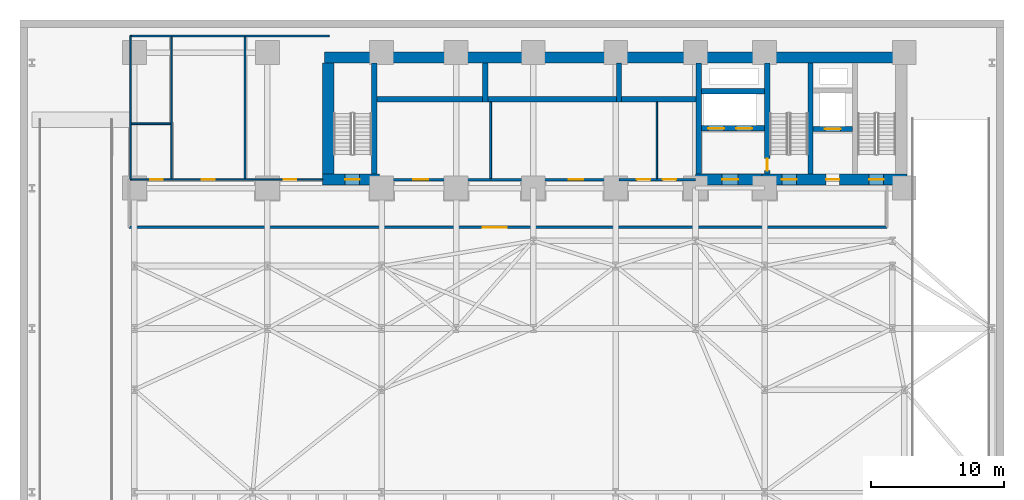
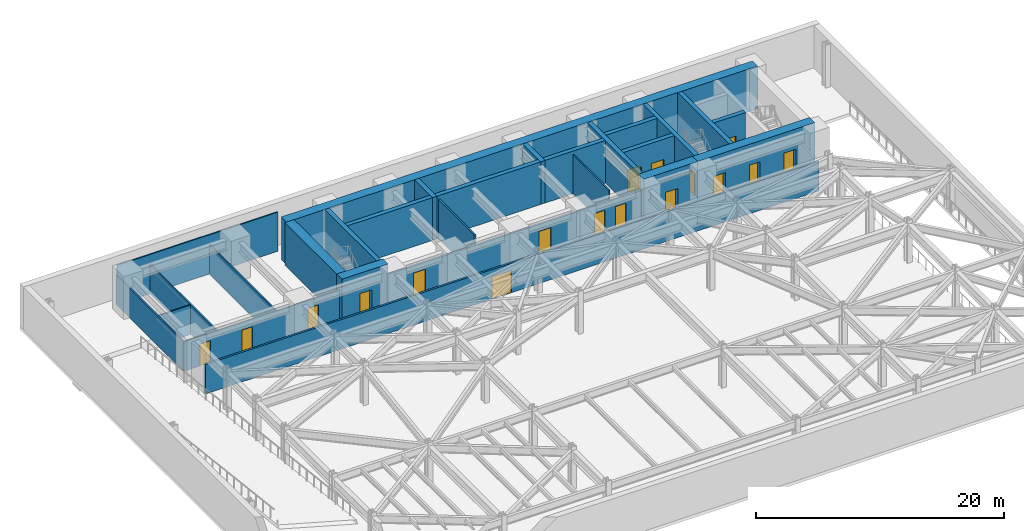
# One storey, part 4 of 11: 28 walls, 17 doors, 17 openings.
"""IFC4 building model written with IfcOpenShell, lengths in metres."""

from ifc_helpers import new_model, si_unit, direction, frame, frame_2d, origin, place, context, subcontext, project, spatial, rectangle, extrude, material, layer, layer_set, type_object, element, fill, save


model = new_model("IFC4")

# Units and contexts
model_context = context("Model", 3, precision=1e-05, world=origin(), true_north=direction((0.0, 1.0)))
body_context = subcontext(model_context, "Body", "Model", "MODEL_VIEW")
ifc_project = project(units=[si_unit("LENGTHUNIT", "METRE"), si_unit("AREAUNIT", "SQUARE_METRE"), si_unit("VOLUMEUNIT", "CUBIC_METRE"), si_unit("PLANEANGLEUNIT", "RADIAN"), si_unit("MASSUNIT", "GRAM", prefix="KILO")], contexts=[model_context])

# Site, building, storey
site_placement = place(None, origin())
site = spatial("IfcSite", under=ifc_project, at=site_placement, CompositionType="ELEMENT")
building_placement = place(site_placement, origin())
building = spatial("IfcBuilding", under=site, at=building_placement, Name="Kravanh Interchange Tower", CompositionType="ELEMENT")
storey_placement = place(building_placement, frame((0.0, 0.0, -4.199951171875)))
storey = spatial("IfcBuildingStorey", under=building, at=storey_placement, Name="B1", CompositionType="ELEMENT", Elevation=-4.199951171875)

# Wall
ifc_material_1 = material(Name="Double Acoustic Gypsum Board and Mineral Wool")
ifc_layer_1 = layer(ifc_material_1, 0.1201171875)
ifc_layer_set_1 = layer_set([ifc_layer_1], Name="Acoustic Office Drywall Partition 120mm")
wall_type_1 = type_object("IfcWallType", Name="Acoustic Office Drywall Partition 120mm", PredefinedType="PARTITIONING", material=ifc_layer_set_1)
wall_1_placement = place(storey_placement, frame((47.89990234375, 38.068115234375, 0.0), z_axis=(0.0, 0.0, 1.0), x_axis=(0.0, 1.0, 0.0)))
element("IfcWall", 1, at=wall_1_placement, inside=storey, type_object=wall_type_1, Name="B1 Interior Partition 2", PredefinedType="PARTITIONING", context=body_context, shape_type="SweptSolid", body=[
    extrude(rectangle(XDim=5.77392578125, YDim=0.1201171875, at=frame_2d((2.886962890625, 0.0))), origin(), (0.0, 0.0, 1.0), 3.849853515625),
])

# Wall, openings, doors
wall_2_placement = place(storey_placement, frame((8.300048828125, 38.0, 0.0), z_axis=(0.0, 0.0, 1.0), x_axis=(1.0, 0.0, 0.0)))
wall_2 = element("IfcWall", 2, at=wall_2_placement, inside=storey, type_object=wall_type_1, Name="B1 Restroom Corridor Wall 8", PredefinedType="PARTITIONING", context=body_context, shape_type="SweptSolid", body=[
    extrude(rectangle(XDim=14.449951171875, YDim=0.1201171875, at=frame_2d((7.22509765625, 0.0))), origin(), (0.0, 0.0, 1.0), 2.90185546875),
])
opening_1_placement = place(wall_2_placement, frame((1.481689453125, 0.0, 0.0)))
opening_1 = element("IfcOpeningElement", 3, at=opening_1_placement, cuts=wall_2, Name="Opening D-95", PredefinedType="OPENING", context=body_context, shape_type="SweptSolid", body=[
    extrude(rectangle(XDim=0.949951171875, YDim=2.14990234375, at=frame_2d((0.47509765625, 1.074951171875))), frame((0.0, 0.070068359375, 0.0), z_axis=(0.0, -1.0, 0.0), x_axis=(1.0, 0.0, 0.0)), (0.0, 0.0, 1.0), 0.14013671875),
])
opening_2_placement = place(wall_2_placement, frame((5.385009765625, 0.0, 0.0)))
opening_2 = element("IfcOpeningElement", 4, at=opening_2_placement, cuts=wall_2, Name="Opening D-95", PredefinedType="OPENING", context=body_context, shape_type="SweptSolid", body=[
    extrude(rectangle(XDim=0.949951171875, YDim=2.14990234375, at=frame_2d((0.47509765625, 1.074951171875))), frame((0.0, 0.070068359375, 0.0), z_axis=(0.0, -1.0, 0.0), x_axis=(1.0, 0.0, 0.0)), (0.0, 0.0, 1.0), 0.14013671875),
])
opening_3_placement = place(wall_2_placement, frame((11.52001953125, 0.0, 0.0)))
opening_3 = element("IfcOpeningElement", 5, at=opening_3_placement, cuts=wall_2, Name="Opening D-95", PredefinedType="OPENING", context=body_context, shape_type="SweptSolid", body=[
    extrude(rectangle(XDim=0.949951171875, YDim=2.14990234375, at=frame_2d((0.47509765625, 1.074951171875))), frame((0.0, 0.070068359375, 0.0), z_axis=(0.0, -1.0, 0.0), x_axis=(1.0, 0.0, 0.0)), (0.0, 0.0, 1.0), 0.14013671875),
])
ifc_material_2 = material(Name="Laminate Solid-Core Timber", Category="wood")
door_type_1 = type_object("IfcDoorType", Name="Accessible Restroom Door 950x2150", OperationType="NOTDEFINED", PredefinedType="DOOR", material=ifc_material_2)
door_1_placement = place(opening_1_placement, origin())
door_1 = element("IfcDoor", 6, at=door_1_placement, inside=storey, type_object=door_type_1, Name="B1 Accessible WC Door", OperationType="SINGLE_SWING_LEFT", OverallHeight=2.14990234375, OverallWidth=0.949951171875, PredefinedType="DOOR", context=body_context, shape_type="SweptSolid", body=[
    extrude(rectangle(XDim=0.949951171875, YDim=2.14990234375, at=frame_2d((0.47509765625, 1.074951171875))), frame((0.0, 0.02490234375, 0.0), z_axis=(0.0, -1.0, 0.0), x_axis=(1.0, 0.0, 0.0)), (0.0, 0.0, 1.0), 0.050048828125),
])
fill(opening_1, door_1)
door_2_placement = place(opening_2_placement, origin())
door_2 = element("IfcDoor", 7, at=door_2_placement, inside=storey, type_object=door_type_1, Name="B1 Female WC Door", OperationType="SINGLE_SWING_RIGHT", OverallHeight=2.14990234375, OverallWidth=0.949951171875, PredefinedType="DOOR", context=body_context, shape_type="SweptSolid", body=[
    extrude(rectangle(XDim=0.949951171875, YDim=2.14990234375, at=frame_2d((0.47509765625, 1.074951171875))), frame((0.0, 0.02490234375, 0.0), z_axis=(0.0, -1.0, 0.0), x_axis=(1.0, 0.0, 0.0)), (0.0, 0.0, 1.0), 0.050048828125),
])
fill(opening_2, door_2)
door_3_placement = place(opening_3_placement, origin())
door_3 = element("IfcDoor", 8, at=door_3_placement, inside=storey, type_object=door_type_1, Name="B1 Male WC Door", OperationType="SINGLE_SWING_LEFT", OverallHeight=2.14990234375, OverallWidth=0.949951171875, PredefinedType="DOOR", context=body_context, shape_type="SweptSolid", body=[
    extrude(rectangle(XDim=0.949951171875, YDim=2.14990234375, at=frame_2d((0.47509765625, 1.074951171875))), frame((0.0, 0.02490234375, 0.0), z_axis=(0.0, -1.0, 0.0), x_axis=(1.0, 0.0, 0.0)), (0.0, 0.0, 1.0), 0.050048828125),
])
fill(opening_3, door_3)

# Walls
wall_3_placement = place(storey_placement, frame((8.300048828125, 38.0, 0.0), z_axis=(0.0, 0.0, 1.0), x_axis=(0.0, 1.0, 0.0)))
element("IfcWall", 9, at=wall_3_placement, inside=storey, type_object=wall_type_1, Name="B1 Restroom West Enclosure 9", PredefinedType="PARTITIONING", context=body_context, shape_type="SweptSolid", body=[
    extrude(rectangle(XDim=10.800048828125, YDim=0.1201171875, at=frame_2d((5.39990234375, 0.0))), origin(), (0.0, 0.0, 1.0), 2.90185546875),
])
wall_4_placement = place(storey_placement, frame((8.300048828125, 48.800048828125, 0.0), z_axis=(0.0, 0.0, 1.0), x_axis=(1.0, 0.0, 0.0)))
element("IfcWall", 10, at=wall_4_placement, inside=storey, type_object=wall_type_1, Name="B1 Restroom North Enclosure 10", PredefinedType="PARTITIONING", context=body_context, shape_type="SweptSolid", body=[
    extrude(rectangle(XDim=14.949951171875, YDim=0.1201171875, at=frame_2d((7.47509765625, 0.0))), origin(), (0.0, 0.0, 1.0), 3.849853515625),
])
for number, where, z_axis, x_axis, name in (
    (11, (11.39990234375, 38.068115234375, 0.0), (0.0, 0.0, 1.0), (0.0, 1.0, 0.0), "B1 Interior Partition 11"),
    (12, (16.919921875, 38.068115234375, 0.0), (0.0, 0.0, 1.0), (0.0, 1.0, 0.0), "B1 Interior Partition 12"),
):
    element("IfcWall", number, at=place(storey_placement, frame(where, z_axis=z_axis, x_axis=x_axis)), inside=storey, type_object=wall_type_1, Name=name, PredefinedType="PARTITIONING", context=body_context, shape_type="SweptSolid", body=[
        extrude(rectangle(XDim=10.663818359375, YDim=0.1201171875, at=frame_2d((5.33203125, 0.0))), origin(), (0.0, 0.0, 1.0), 2.90185546875),
    ])
wall_5_placement = place(storey_placement, frame((8.367919921875, 42.199951171875, 0.0), z_axis=(0.0, 0.0, 1.0), x_axis=(1.0, 0.0, 0.0)))
element("IfcWall", 13, at=wall_5_placement, inside=storey, type_object=wall_type_1, Name="B1 Interior Partition 13", PredefinedType="PARTITIONING", context=body_context, shape_type="SweptSolid", body=[
    extrude(rectangle(XDim=2.964111328125, YDim=0.1201171875, at=frame_2d((1.48193359375, 0.0))), origin(), (0.0, 0.0, 1.0), 2.90185546875),
])
ifc_material_3 = material(Name="Concrete C80/95", Category="concrete")
ifc_layer_2 = layer(ifc_material_3, 0.39990234375)
ifc_layer_set_2 = layer_set([ifc_layer_2], Name="Core Shear Wall Concrete C80/95 400mm")
wall_type_2 = type_object("IfcWallType", Name="Core Shear Wall Concrete C80/95 400mm", PredefinedType="SHEAR", material=ifc_layer_set_2)
wall_6_placement = place(storey_placement, frame((59.449951171875, 38.425048828125, 0.0), z_axis=(0.0, 0.0, 1.0), x_axis=(0.0, 1.0, 0.0)))
element("IfcWall", 14, at=wall_6_placement, inside=storey, type_object=wall_type_2, Name="B1 Stair ST2 East Shear Wall", PredefinedType="SHEAR", context=body_context, shape_type="SweptSolid", body=[
    extrude(rectangle(XDim=8.324951171875, YDim=0.39990234375, at=frame_2d((4.16259765625, 0.0))), origin(), (0.0, 0.0, 1.0), 4.199951171875),
])

# Wall, opening, door
wall_7_placement = place(storey_placement, frame((56.199951171875, 38.425048828125, 0.0), z_axis=(0.0, 0.0, 1.0), x_axis=(0.0, 1.0, 0.0)))
wall_7 = element("IfcWall", 15, at=wall_7_placement, inside=storey, type_object=wall_type_2, Name="B1 Stair ST2 West Shear Wall", PredefinedType="SHEAR", context=body_context, shape_type="SweptSolid", body=[
    extrude(rectangle(XDim=8.324951171875, YDim=0.39990234375, at=frame_2d((4.16259765625, 0.0))), origin(), (0.0, 0.0, 1.0), 4.199951171875),
])
opening_4_placement = place(wall_7_placement, frame((0.2548828125, 0.0, 0.0)))
opening_4 = element("IfcOpeningElement", 16, at=opening_4_placement, cuts=wall_7, Name="Opening D-STAIR-90", PredefinedType="OPENING", context=body_context, shape_type="SweptSolid", body=[
    extrude(rectangle(XDim=0.89990234375, YDim=2.14990234375, at=frame_2d((0.449951171875, 1.074951171875))), frame((0.0, 0.2099609375, 0.0), z_axis=(0.0, -1.0, 0.0), x_axis=(1.0, 0.0, 0.0)), (0.0, 0.0, 1.0), 0.419921875),
])
ifc_material_4 = material(Name="Structural Steel S355", Category="steel")
door_type_2 = type_object("IfcDoorType", Name="Fire-Rated Stair Lobby Door 900x2150", OperationType="NOTDEFINED", PredefinedType="DOOR", material=ifc_material_4)
door_4_placement = place(opening_4_placement, origin())
door_4 = element("IfcDoor", 17, at=door_4_placement, inside=storey, type_object=door_type_2, Name="B1 Firefighting Lobby to Stair ST2 Door", OperationType="SINGLE_SWING_LEFT", OverallHeight=2.14990234375, OverallWidth=0.89990234375, PredefinedType="DOOR", context=body_context, shape_type="SweptSolid", body=[
    extrude(rectangle(XDim=0.89990234375, YDim=2.14990234375, at=frame_2d((0.449951171875, 1.074951171875))), frame((0.0, 0.02490234375, 0.0), z_axis=(0.0, -1.0, 0.0), x_axis=(1.0, 0.0, 0.0)), (0.0, 0.0, 1.0), 0.050048828125),
])
fill(opening_4, door_4)

wall_8_placement = place(storey_placement, frame((59.64990234375, 41.800048828125, 0.0), z_axis=(0.0, 0.0, 1.0), x_axis=(1.0, 0.0, 0.0)))
wall_8 = element("IfcWall", 18, at=wall_8_placement, inside=storey, type_object=wall_type_2, Name="B1 Service Lift Shaft South Wall", PredefinedType="SHEAR", context=body_context, shape_type="SweptSolid", body=[
    extrude(rectangle(XDim=2.9501953125, YDim=0.39990234375, at=frame_2d((1.47509765625, 0.0))), origin(), (0.0, 0.0, 1.0), 4.199951171875),
])
opening_5_placement = place(wall_8_placement, frame((0.8701171875, 0.0, 0.0)))
opening_5 = element("IfcOpeningElement", 19, at=opening_5_placement, cuts=wall_8, Name="Opening LD02", PredefinedType="OPENING", context=body_context, shape_type="SweptSolid", body=[
    extrude(rectangle(XDim=1.199951171875, YDim=2.199951171875, at=frame_2d((0.60009765625, 1.10009765625))), frame((0.0, 0.2099609375, 0.0), z_axis=(0.0, -1.0, 0.0), x_axis=(1.0, 0.0, 0.0)), (0.0, 0.0, 1.0), 0.419921875),
])
ifc_material_5 = material(Name="Stainless Steel 316", Category="steel")
door_type_3 = type_object("IfcDoorType", Name="Fire and Service Lift Sliding Landing Door 1200x2200", OperationType="DOUBLE_DOOR_SLIDING", PredefinedType="DOOR", material=ifc_material_5)
door_5_placement = place(opening_5_placement, origin())
door_5 = element("IfcDoor", 20, at=door_5_placement, inside=storey, type_object=door_type_3, Name="B1 Lift LS-01 Landing Door", OperationType="DOUBLE_DOOR_SLIDING", OverallHeight=2.199951171875, OverallWidth=1.199951171875, PredefinedType="DOOR", context=body_context, shape_type="SweptSolid", body=[
    extrude(rectangle(XDim=1.199951171875, YDim=2.199951171875, at=frame_2d((0.60009765625, 1.10009765625))), frame((0.0, 0.02490234375, 0.0), z_axis=(0.0, -1.0, 0.0), x_axis=(1.0, 0.0, 0.0)), (0.0, 0.0, 1.0), 0.050048828125),
])
fill(opening_5, door_5)

# Wall, openings, doors
wall_9_placement = place(storey_placement, frame((51.25, 41.85009765625, 0.0), z_axis=(0.0, 0.0, 1.0), x_axis=(1.0, 0.0, 0.0)))
wall_9 = element("IfcWall", 21, at=wall_9_placement, inside=storey, type_object=wall_type_2, Name="B1 Fire Lift Shaft South Wall", PredefinedType="SHEAR", context=body_context, shape_type="SweptSolid", body=[
    extrude(rectangle(XDim=4.75, YDim=0.39990234375, at=frame_2d((2.375, 0.0))), origin(), (0.0, 0.0, 1.0), 4.199951171875),
])
opening_6_placement = place(wall_9_placement, frame((0.5, 0.0, 0.0)))
opening_6 = element("IfcOpeningElement", 22, at=opening_6_placement, cuts=wall_9, Name="Opening LD02", PredefinedType="OPENING", context=body_context, shape_type="SweptSolid", body=[
    extrude(rectangle(XDim=1.199951171875, YDim=2.199951171875, at=frame_2d((0.60009765625, 1.10009765625))), frame((0.0, 0.2099609375, 0.0), z_axis=(0.0, -1.0, 0.0), x_axis=(1.0, 0.0, 0.0)), (0.0, 0.0, 1.0), 0.419921875),
])
opening_7_placement = place(wall_9_placement, frame((2.60009765625, 0.0, 0.0)))
opening_7 = element("IfcOpeningElement", 23, at=opening_7_placement, cuts=wall_9, Name="Opening LD02", PredefinedType="OPENING", context=body_context, shape_type="SweptSolid", body=[
    extrude(rectangle(XDim=1.199951171875, YDim=2.199951171875, at=frame_2d((0.60009765625, 1.10009765625))), frame((0.0, 0.2099609375, 0.0), z_axis=(0.0, -1.0, 0.0), x_axis=(1.0, 0.0, 0.0)), (0.0, 0.0, 1.0), 0.419921875),
])
door_6_placement = place(opening_6_placement, origin())
door_6 = element("IfcDoor", 24, at=door_6_placement, inside=storey, type_object=door_type_3, Name="B1 Lift FSAE-01 Landing Door", OperationType="DOUBLE_DOOR_SLIDING", OverallHeight=2.199951171875, OverallWidth=1.199951171875, PredefinedType="DOOR", context=body_context, shape_type="SweptSolid", body=[
    extrude(rectangle(XDim=1.199951171875, YDim=2.199951171875, at=frame_2d((0.60009765625, 1.10009765625))), frame((0.0, 0.02490234375, 0.0), z_axis=(0.0, -1.0, 0.0), x_axis=(1.0, 0.0, 0.0)), (0.0, 0.0, 1.0), 0.050048828125),
])
fill(opening_6, door_6)
door_7_placement = place(opening_7_placement, origin())
door_7 = element("IfcDoor", 25, at=door_7_placement, inside=storey, type_object=door_type_3, Name="B1 Lift FSAE-02 Landing Door", OperationType="DOUBLE_DOOR_SLIDING", OverallHeight=2.199951171875, OverallWidth=1.199951171875, PredefinedType="DOOR", context=body_context, shape_type="SweptSolid", body=[
    extrude(rectangle(XDim=1.199951171875, YDim=2.199951171875, at=frame_2d((0.60009765625, 1.10009765625))), frame((0.0, 0.02490234375, 0.0), z_axis=(0.0, -1.0, 0.0), x_axis=(1.0, 0.0, 0.0)), (0.0, 0.0, 1.0), 0.050048828125),
])
fill(opening_7, door_7)

# Walls
wall_10_placement = place(storey_placement, frame((51.25, 44.64990234375, 0.0), z_axis=(0.0, 0.0, 1.0), x_axis=(1.0, 0.0, 0.0)))
element("IfcWall", 26, at=wall_10_placement, inside=storey, type_object=wall_type_2, Name="B1 Fire Lift Shaft North Wall", PredefinedType="SHEAR", context=body_context, shape_type="SweptSolid", body=[
    extrude(rectangle(XDim=4.75, YDim=0.39990234375, at=frame_2d((2.375, 0.0))), origin(), (0.0, 0.0, 1.0), 4.199951171875),
])
wall_11_placement = place(storey_placement, frame((51.050048828125, 38.425048828125, 0.0), z_axis=(0.0, 0.0, 1.0), x_axis=(0.0, 1.0, 0.0)))
element("IfcWall", 27, at=wall_11_placement, inside=storey, type_object=wall_type_2, Name="B1 Firefighting Lobby West Wall", PredefinedType="SHEAR", context=body_context, shape_type="SweptSolid", body=[
    extrude(rectangle(XDim=8.324951171875, YDim=0.39990234375, at=frame_2d((4.16259765625, 0.0))), origin(), (0.0, 0.0, 1.0), 4.199951171875),
])
wall_12_placement = place(storey_placement, frame((45.25, 44.050048828125, 0.0), z_axis=(0.0, 0.0, 1.0), x_axis=(1.0, 0.0, 0.0)))
element("IfcWall", 28, at=wall_12_placement, inside=storey, type_object=wall_type_2, Name="B1 High-Rise Lift Shaft South Wall", PredefinedType="SHEAR", context=body_context, shape_type="SweptSolid", body=[
    extrude(rectangle(XDim=5.60009765625, YDim=0.39990234375, at=frame_2d((2.800048828125, 0.0))), origin(), (0.0, 0.0, 1.0), 4.199951171875),
])
wall_13_placement = place(storey_placement, frame((45.050048828125, 43.85009765625, 0.0), z_axis=(0.0, 0.0, 1.0), x_axis=(0.0, 1.0, 0.0)))
element("IfcWall", 29, at=wall_13_placement, inside=storey, type_object=wall_type_2, Name="B1 High-Rise Lift Shaft West Wall", PredefinedType="SHEAR", context=body_context, shape_type="SweptSolid", body=[
    extrude(rectangle(XDim=2.89990234375, YDim=0.39990234375, at=frame_2d((1.449951171875, 0.0))), origin(), (0.0, 0.0, 1.0), 4.199951171875),
])
wall_14_placement = place(storey_placement, frame((35.199951171875, 44.050048828125, 0.0), z_axis=(0.0, 0.0, 1.0), x_axis=(1.0, 0.0, 0.0)))
element("IfcWall", 30, at=wall_14_placement, inside=storey, type_object=wall_type_2, Name="B1 Mid-Rise Lift Shaft South Wall", PredefinedType="SHEAR", context=body_context, shape_type="SweptSolid", body=[
    extrude(rectangle(XDim=9.650146484375, YDim=0.39990234375, at=frame_2d((4.8251953125, 0.0))), origin(), (0.0, 0.0, 1.0), 4.199951171875),
])
wall_15_placement = place(storey_placement, frame((35.0, 43.85009765625, 0.0), z_axis=(0.0, 0.0, 1.0), x_axis=(0.0, 1.0, 0.0)))
element("IfcWall", 31, at=wall_15_placement, inside=storey, type_object=wall_type_2, Name="B1 Mid-Rise Lift Shaft West Wall", PredefinedType="SHEAR", context=body_context, shape_type="SweptSolid", body=[
    extrude(rectangle(XDim=2.89990234375, YDim=0.39990234375, at=frame_2d((1.449951171875, 0.0))), origin(), (0.0, 0.0, 1.0), 4.199951171875),
])
wall_16_placement = place(storey_placement, frame((26.85009765625, 44.050048828125, 0.0), z_axis=(0.0, 0.0, 1.0), x_axis=(1.0, 0.0, 0.0)))
element("IfcWall", 32, at=wall_16_placement, inside=storey, type_object=wall_type_2, Name="B1 Low-Rise Lift Shaft South Wall", PredefinedType="SHEAR", context=body_context, shape_type="SweptSolid", body=[
    extrude(rectangle(XDim=7.949951171875, YDim=0.39990234375, at=frame_2d((3.97509765625, 0.0))), origin(), (0.0, 0.0, 1.0), 4.199951171875),
])
wall_17_placement = place(storey_placement, frame((26.64990234375, 38.425048828125, 0.0), z_axis=(0.0, 0.0, 1.0), x_axis=(0.0, 1.0, 0.0)))
element("IfcWall", 33, at=wall_17_placement, inside=storey, type_object=wall_type_2, Name="B1 Stair ST3 East Shear Wall", PredefinedType="SHEAR", context=body_context, shape_type="SweptSolid", body=[
    extrude(rectangle(XDim=8.324951171875, YDim=0.39990234375, at=frame_2d((4.16259765625, 0.0))), origin(), (0.0, 0.0, 1.0), 4.199951171875),
])
ifc_material_6 = material(Name="Concrete C80/95", Category="concrete")
ifc_layer_3 = layer(ifc_material_6, 0.85009765625)
ifc_layer_set_3 = layer_set([ifc_layer_3], Name="Core Shear Wall Concrete C80/95 850mm")
wall_type_3 = type_object("IfcWallType", Name="Core Shear Wall Concrete C80/95 850mm", PredefinedType="SHEAR", material=ifc_layer_set_3)
wall_18_placement = place(storey_placement, frame((22.89990234375, 47.175048828125, 0.0), z_axis=(0.0, 0.0, 1.0), x_axis=(1.0, 0.0, 0.0)))
element("IfcWall", 34, at=wall_18_placement, inside=storey, type_object=wall_type_3, Name="B1 North Core Shear Wall", PredefinedType="SHEAR", context=body_context, shape_type="SweptSolid", body=[
    extrude(rectangle(XDim=43.800048828125, YDim=0.85009765625, at=frame_2d((21.89990234375, 0.0))), origin(), (0.0, 0.0, 1.0), 4.199951171875),
])

# Wall, openings, doors
wall_19_placement = place(storey_placement, frame((55.800048828125, 38.0, 0.0), z_axis=(0.0, 0.0, 1.0), x_axis=(1.0, 0.0, 0.0)))
wall_19 = element("IfcWall", 35, at=wall_19_placement, inside=storey, type_object=wall_type_3, Name="B1 East Core South Shear Wall", PredefinedType="SHEAR", context=body_context, shape_type="SweptSolid", body=[
    extrude(rectangle(XDim=10.89990234375, YDim=0.85009765625, at=frame_2d((5.449951171875, 0.0))), origin(), (0.0, 0.0, 1.0), 4.199951171875),
])
opening_8_placement = place(wall_19_placement, frame((1.5, 0.0, 0.0)))
opening_8 = element("IfcOpeningElement", 36, at=opening_8_placement, cuts=wall_19, Name="Opening D-STAIR-110", PredefinedType="OPENING", context=body_context, shape_type="SweptSolid", body=[
    extrude(rectangle(XDim=1.10009765625, YDim=2.199951171875, at=frame_2d((0.550048828125, 1.10009765625))), frame((0.0, 0.43505859375, 0.0), z_axis=(0.0, -1.0, 0.0), x_axis=(1.0, 0.0, 0.0)), (0.0, 0.0, 1.0), 0.8701171875),
])
opening_9_placement = place(wall_19_placement, frame((4.820068359375, 0.0, 0.0)))
opening_9 = element("IfcOpeningElement", 37, at=opening_9_placement, cuts=wall_19, Name="Opening D-HOTEL-100", PredefinedType="OPENING", context=body_context, shape_type="SweptSolid", body=[
    extrude(rectangle(XDim=1.0, YDim=2.14990234375, at=frame_2d((0.5, 1.074951171875))), frame((0.0, 0.43505859375, 0.0), z_axis=(0.0, -1.0, 0.0), x_axis=(1.0, 0.0, 0.0)), (0.0, 0.0, 1.0), 0.8701171875),
])
opening_10_placement = place(wall_19_placement, frame((8.050048828125, 0.0, 0.0)))
opening_10 = element("IfcOpeningElement", 38, at=opening_10_placement, cuts=wall_19, Name="Opening D-STAIR-110", PredefinedType="OPENING", context=body_context, shape_type="SweptSolid", body=[
    extrude(rectangle(XDim=1.10009765625, YDim=2.199951171875, at=frame_2d((0.550048828125, 1.10009765625))), frame((0.0, 0.43505859375, 0.0), z_axis=(0.0, -1.0, 0.0), x_axis=(1.0, 0.0, 0.0)), (0.0, 0.0, 1.0), 0.8701171875),
])
ifc_material_7 = material(Name="Structural Steel S355", Category="steel")
door_type_4 = type_object("IfcDoorType", Name="Fire-Rated Exit Stair Door 1100x2200", OperationType="NOTDEFINED", PredefinedType="DOOR", material=ifc_material_7)
door_8_placement = place(opening_8_placement, origin())
door_8 = element("IfcDoor", 39, at=door_8_placement, inside=storey, type_object=door_type_4, Name="B1 Exit Stair ST2 Door", OperationType="SINGLE_SWING_RIGHT", OverallHeight=2.199951171875, OverallWidth=1.10009765625, PredefinedType="DOOR", context=body_context, shape_type="SweptSolid", body=[
    extrude(rectangle(XDim=1.10009765625, YDim=2.199951171875, at=frame_2d((0.550048828125, 1.10009765625))), frame((0.0, 0.02490234375, 0.0), z_axis=(0.0, -1.0, 0.0), x_axis=(1.0, 0.0, 0.0)), (0.0, 0.0, 1.0), 0.050048828125),
])
fill(opening_8, door_8)
door_9_placement = place(opening_10_placement, origin())
door_9 = element("IfcDoor", 40, at=door_9_placement, inside=storey, type_object=door_type_4, Name="B1 Exit Stair ST1 Door", OperationType="SINGLE_SWING_RIGHT", OverallHeight=2.199951171875, OverallWidth=1.10009765625, PredefinedType="DOOR", context=body_context, shape_type="SweptSolid", body=[
    extrude(rectangle(XDim=1.10009765625, YDim=2.199951171875, at=frame_2d((0.550048828125, 1.10009765625))), frame((0.0, 0.02490234375, 0.0), z_axis=(0.0, -1.0, 0.0), x_axis=(1.0, 0.0, 0.0)), (0.0, 0.0, 1.0), 0.050048828125),
])
fill(opening_10, door_9)
ifc_material_8 = material(Name="Fire-Rated Solid Timber Leaf", Category="wood")
door_type_5 = type_object("IfcDoorType", Name="Fire-Rated Suite Entrance Door 1000x2150", OperationType="NOTDEFINED", PredefinedType="DOOR", material=ifc_material_8)
door_10_placement = place(opening_9_placement, origin())
door_10 = element("IfcDoor", 41, at=door_10_placement, inside=storey, type_object=door_type_5, Name="B1 Service Lift Lobby Door", OperationType="SINGLE_SWING_RIGHT", OverallHeight=2.14990234375, OverallWidth=1.0, PredefinedType="DOOR", context=body_context, shape_type="SweptSolid", body=[
    extrude(rectangle(XDim=1.0, YDim=2.14990234375, at=frame_2d((0.5, 1.074951171875))), frame((0.0, 0.02490234375, 0.0), z_axis=(0.0, -1.0, 0.0), x_axis=(1.0, 0.0, 0.0)), (0.0, 0.0, 1.0), 0.050048828125),
])
fill(opening_9, door_10)

# Wall, opening, door
wall_20_placement = place(storey_placement, frame((50.800048828125, 38.0, 0.0), z_axis=(0.0, 0.0, 1.0), x_axis=(1.0, 0.0, 0.0)))
wall_20 = element("IfcWall", 42, at=wall_20_placement, inside=storey, type_object=wall_type_3, Name="B1 Firefighting Lobby South Shear Wall", PredefinedType="SHEAR", context=body_context, shape_type="SweptSolid", body=[
    extrude(rectangle(XDim=5.0, YDim=0.85009765625, at=frame_2d((2.5, 0.0))), origin(), (0.0, 0.0, 1.0), 4.199951171875),
])
opening_11_placement = place(wall_20_placement, frame((2.0, 0.0, 0.0)))
opening_11 = element("IfcOpeningElement", 43, at=opening_11_placement, cuts=wall_20, Name="Opening D-FSAE-120", PredefinedType="OPENING", context=body_context, shape_type="SweptSolid", body=[
    extrude(rectangle(XDim=1.199951171875, YDim=2.199951171875, at=frame_2d((0.60009765625, 1.10009765625))), frame((0.0, 0.43505859375, 0.0), z_axis=(0.0, -1.0, 0.0), x_axis=(1.0, 0.0, 0.0)), (0.0, 0.0, 1.0), 0.8701171875),
])
ifc_material_9 = material(Name="Structural Steel S355", Category="steel")
door_type_6 = type_object("IfcDoorType", Name="Fire-Rated Refuge and FSAE Door 1200x2200", OperationType="NOTDEFINED", PredefinedType="DOOR", material=ifc_material_9)
door_11_placement = place(opening_11_placement, origin())
door_11 = element("IfcDoor", 44, at=door_11_placement, inside=storey, type_object=door_type_6, Name="B1 Firefighting Lobby Corridor Door", OperationType="SINGLE_SWING_RIGHT", OverallHeight=2.199951171875, OverallWidth=1.199951171875, PredefinedType="DOOR", context=body_context, shape_type="SweptSolid", body=[
    extrude(rectangle(XDim=1.199951171875, YDim=2.199951171875, at=frame_2d((0.60009765625, 1.10009765625))), frame((0.0, 0.02490234375, 0.0), z_axis=(0.0, -1.0, 0.0), x_axis=(1.0, 0.0, 0.0)), (0.0, 0.0, 1.0), 0.050048828125),
])
fill(opening_11, door_11)

wall_21_placement = place(storey_placement, frame((22.75, 38.0, 0.0), z_axis=(0.0, 0.0, 1.0), x_axis=(1.0, 0.0, 0.0)))
wall_21 = element("IfcWall", 45, at=wall_21_placement, inside=storey, type_object=wall_type_3, Name="B1 Stair ST3 South Shear Wall", PredefinedType="SHEAR", context=body_context, shape_type="SweptSolid", body=[
    extrude(rectangle(XDim=4.300048828125, YDim=0.85009765625, at=frame_2d((2.14990234375, 0.0))), origin(), (0.0, 0.0, 1.0), 4.199951171875),
])
opening_12_placement = place(wall_21_placement, frame((1.699951171875, 0.0, 0.0)))
opening_12 = element("IfcOpeningElement", 46, at=opening_12_placement, cuts=wall_21, Name="Opening D-STAIR-110", PredefinedType="OPENING", context=body_context, shape_type="SweptSolid", body=[
    extrude(rectangle(XDim=1.10009765625, YDim=2.199951171875, at=frame_2d((0.550048828125, 1.10009765625))), frame((0.0, 0.43505859375, 0.0), z_axis=(0.0, -1.0, 0.0), x_axis=(1.0, 0.0, 0.0)), (0.0, 0.0, 1.0), 0.8701171875),
])
door_12_placement = place(opening_12_placement, origin())
door_12 = element("IfcDoor", 47, at=door_12_placement, inside=storey, type_object=door_type_4, Name="B1 Exit Stair ST3 Door", OperationType="SINGLE_SWING_RIGHT", OverallHeight=2.199951171875, OverallWidth=1.10009765625, PredefinedType="DOOR", context=body_context, shape_type="SweptSolid", body=[
    extrude(rectangle(XDim=1.10009765625, YDim=2.199951171875, at=frame_2d((0.550048828125, 1.10009765625))), frame((0.0, 0.02490234375, 0.0), z_axis=(0.0, -1.0, 0.0), x_axis=(1.0, 0.0, 0.0)), (0.0, 0.0, 1.0), 0.050048828125),
])
fill(opening_12, door_12)

# Wall
wall_22_placement = place(storey_placement, frame((23.175048828125, 38.425048828125, 0.0), z_axis=(0.0, 0.0, 1.0), x_axis=(0.0, 1.0, 0.0)))
element("IfcWall", 48, at=wall_22_placement, inside=storey, type_object=wall_type_3, Name="B1 Stair ST3 West Shear Wall", PredefinedType="SHEAR", context=body_context, shape_type="SweptSolid", body=[
    extrude(rectangle(XDim=8.324951171875, YDim=0.85009765625, at=frame_2d((4.16259765625, 0.0))), origin(), (0.0, 0.0, 1.0), 4.199951171875),
])

# Wall, openings, doors
ifc_material_10 = material(Name="Autoclaved Aerated Concrete C30/37 Blockwork", Category="masonry")
ifc_layer_4 = layer(ifc_material_10, 0.179931640625)
ifc_layer_set_4 = layer_set([ifc_layer_4], Name="Fire-Rated Lobby and Corridor Wall Concrete C30/37 180mm")
wall_type_4 = type_object("IfcWallType", Name="Fire-Rated Lobby and Corridor Wall Concrete C30/37 180mm", PredefinedType="STANDARD", material=ifc_layer_set_4)
wall_23_placement = place(storey_placement, frame((45.050048828125, 38.0, 0.0), z_axis=(0.0, 0.0, 1.0), x_axis=(1.0, 0.0, 0.0)))
wall_23 = element("IfcWall", 49, at=wall_23_placement, inside=storey, type_object=wall_type_4, Name="B1 Core South Enclosure 1", PredefinedType="STANDARD", context=body_context, shape_type="SweptSolid", body=[
    extrude(rectangle(XDim=5.75, YDim=0.179931640625, at=frame_2d((2.875, 0.0))), origin(), (0.0, 0.0, 1.0), 2.90185546875),
])
opening_13_placement = place(wall_23_placement, frame((1.35009765625, 0.0, 0.0)))
opening_13 = element("IfcOpeningElement", 50, at=opening_13_placement, cuts=wall_23, Name="Opening D-HOTEL-100", PredefinedType="OPENING", context=body_context, shape_type="SweptSolid", body=[
    extrude(rectangle(XDim=1.0, YDim=2.14990234375, at=frame_2d((0.5, 1.074951171875))), frame((0.0, 0.10009765625, 0.0), z_axis=(0.0, -1.0, 0.0), x_axis=(1.0, 0.0, 0.0)), (0.0, 0.0, 1.0), 0.199951171875),
])
opening_14_placement = place(wall_23_placement, frame((3.300048828125, 0.0, 0.0)))
opening_14 = element("IfcOpeningElement", 51, at=opening_14_placement, cuts=wall_23, Name="Opening D-HOTEL-100", PredefinedType="OPENING", context=body_context, shape_type="SweptSolid", body=[
    extrude(rectangle(XDim=1.0, YDim=2.14990234375, at=frame_2d((0.5, 1.074951171875))), frame((0.0, 0.10009765625, 0.0), z_axis=(0.0, -1.0, 0.0), x_axis=(1.0, 0.0, 0.0)), (0.0, 0.0, 1.0), 0.199951171875),
])
door_13_placement = place(opening_13_placement, origin())
door_13 = element("IfcDoor", 52, at=door_13_placement, inside=storey, type_object=door_type_5, Name="B1 Core Switchroom Door", OperationType="SINGLE_SWING_LEFT", OverallHeight=2.14990234375, OverallWidth=1.0, PredefinedType="DOOR", context=body_context, shape_type="SweptSolid", body=[
    extrude(rectangle(XDim=1.0, YDim=2.14990234375, at=frame_2d((0.5, 1.074951171875))), frame((0.0, 0.02490234375, 0.0), z_axis=(0.0, -1.0, 0.0), x_axis=(1.0, 0.0, 0.0)), (0.0, 0.0, 1.0), 0.050048828125),
])
fill(opening_13, door_13)
door_14_placement = place(opening_14_placement, origin())
door_14 = element("IfcDoor", 53, at=door_14_placement, inside=storey, type_object=door_type_5, Name="B1 Core Archive Door", OperationType="SINGLE_SWING_RIGHT", OverallHeight=2.14990234375, OverallWidth=1.0, PredefinedType="DOOR", context=body_context, shape_type="SweptSolid", body=[
    extrude(rectangle(XDim=1.0, YDim=2.14990234375, at=frame_2d((0.5, 1.074951171875))), frame((0.0, 0.02490234375, 0.0), z_axis=(0.0, -1.0, 0.0), x_axis=(1.0, 0.0, 0.0)), (0.0, 0.0, 1.0), 0.050048828125),
])
fill(opening_14, door_14)

wall_24_placement = place(storey_placement, frame((27.050048828125, 38.0, 0.0), z_axis=(0.0, 0.0, 1.0), x_axis=(1.0, 0.0, 0.0)))
wall_24 = element("IfcWall", 54, at=wall_24_placement, inside=storey, type_object=wall_type_4, Name="B1 Basement Core South Wall 3", PredefinedType="STANDARD", context=body_context, shape_type="SweptSolid", body=[
    extrude(rectangle(XDim=18.0, YDim=0.179931640625, at=frame_2d((9.0, 0.0))), origin(), (0.0, 0.0, 1.0), 2.90185546875),
])
opening_15_placement = place(wall_24_placement, frame((2.541259765625, 0.0, 0.0)))
opening_15 = element("IfcOpeningElement", 55, at=opening_15_placement, cuts=wall_24, Name="Opening D-STAIR-110", PredefinedType="OPENING", context=body_context, shape_type="SweptSolid", body=[
    extrude(rectangle(XDim=1.10009765625, YDim=2.199951171875, at=frame_2d((0.550048828125, 1.10009765625))), frame((0.0, 0.10009765625, 0.0), z_axis=(0.0, -1.0, 0.0), x_axis=(1.0, 0.0, 0.0)), (0.0, 0.0, 1.0), 0.199951171875),
])
opening_16_placement = place(wall_24_placement, frame((14.199951171875, 0.0, 0.0)))
opening_16 = element("IfcOpeningElement", 56, at=opening_16_placement, cuts=wall_24, Name="Opening D-STAIR-110", PredefinedType="OPENING", context=body_context, shape_type="SweptSolid", body=[
    extrude(rectangle(XDim=1.10009765625, YDim=2.199951171875, at=frame_2d((0.550048828125, 1.10009765625))), frame((0.0, 0.10009765625, 0.0), z_axis=(0.0, -1.0, 0.0), x_axis=(1.0, 0.0, 0.0)), (0.0, 0.0, 1.0), 0.199951171875),
])
door_15_placement = place(opening_15_placement, origin())
door_15 = element("IfcDoor", 57, at=door_15_placement, inside=storey, type_object=door_type_4, Name="B1 Basement Fan Room Door", OperationType="SINGLE_SWING_LEFT", OverallHeight=2.199951171875, OverallWidth=1.10009765625, PredefinedType="DOOR", context=body_context, shape_type="SweptSolid", body=[
    extrude(rectangle(XDim=1.10009765625, YDim=2.199951171875, at=frame_2d((0.550048828125, 1.10009765625))), frame((0.0, 0.02490234375, 0.0), z_axis=(0.0, -1.0, 0.0), x_axis=(1.0, 0.0, 0.0)), (0.0, 0.0, 1.0), 0.050048828125),
])
fill(opening_15, door_15)
door_16_placement = place(opening_16_placement, origin())
door_16 = element("IfcDoor", 58, at=door_16_placement, inside=storey, type_object=door_type_4, Name="B1 Basement Pump Room Door", OperationType="SINGLE_SWING_RIGHT", OverallHeight=2.199951171875, OverallWidth=1.10009765625, PredefinedType="DOOR", context=body_context, shape_type="SweptSolid", body=[
    extrude(rectangle(XDim=1.10009765625, YDim=2.199951171875, at=frame_2d((0.550048828125, 1.10009765625))), frame((0.0, 0.02490234375, 0.0), z_axis=(0.0, -1.0, 0.0), x_axis=(1.0, 0.0, 0.0)), (0.0, 0.0, 1.0), 0.050048828125),
])
fill(opening_16, door_16)

# Wall, opening, door
wall_25_placement = place(storey_placement, frame((8.199951171875, 34.39990234375, 0.0), z_axis=(0.0, 0.0, 1.0), x_axis=(1.0, 0.0, 0.0)))
wall_25 = element("IfcWall", 59, at=wall_25_placement, inside=storey, type_object=wall_type_4, Name="B1 Interior Partition 5", PredefinedType="STANDARD", context=body_context, shape_type="SweptSolid", body=[
    extrude(rectangle(XDim=57.0, YDim=0.179931640625, at=frame_2d((28.5, 0.0))), origin(), (0.0, 0.0, 1.0), 2.90185546875),
])
opening_17_placement = place(wall_25_placement, frame((26.60009765625, 0.0, 0.0)))
opening_17 = element("IfcOpeningElement", 60, at=opening_17_placement, cuts=wall_25, Name="Opening DBL-180", PredefinedType="OPENING", context=body_context, shape_type="SweptSolid", body=[
    extrude(rectangle(XDim=1.800048828125, YDim=2.199951171875, at=frame_2d((0.89990234375, 1.10009765625))), frame((0.0, 0.10009765625, 0.0), z_axis=(0.0, -1.0, 0.0), x_axis=(1.0, 0.0, 0.0)), (0.0, 0.0, 1.0), 0.199951171875),
])
ifc_material_11 = material(Name="Structural Steel S355", Category="steel")
door_type_7 = type_object("IfcDoorType", Name="Lift Lobby Double Fire Door 1800x2200", OperationType="DOUBLE_DOOR_SINGLE_SWING", PredefinedType="DOOR", material=ifc_material_11)
door_17_placement = place(opening_17_placement, origin())
door_17 = element("IfcDoor", 61, at=door_17_placement, inside=storey, type_object=door_type_7, Name="B1 Car Park Lobby Double Door", OperationType="DOUBLE_DOOR_SINGLE_SWING", OverallHeight=2.199951171875, OverallWidth=1.800048828125, PredefinedType="DOOR", context=body_context, shape_type="SweptSolid", body=[
    extrude(rectangle(XDim=1.800048828125, YDim=2.199951171875, at=frame_2d((0.89990234375, 1.10009765625))), frame((0.0, 0.02490234375, 0.0), z_axis=(0.0, -1.0, 0.0), x_axis=(1.0, 0.0, 0.0)), (0.0, 0.0, 1.0), 0.050048828125),
])
fill(opening_17, door_17)

# Wall
ifc_material_12 = material(Name="Twin Stud Acoustic Gypsum Board Wall")
ifc_layer_5 = layer(ifc_material_12, 0.14990234375)
ifc_layer_set_5 = layer_set([ifc_layer_5], Name="Medium-Duty Acoustic Partition 150mm")
wall_type_5 = type_object("IfcWallType", Name="Medium-Duty Acoustic Partition 150mm", PredefinedType="PARTITIONING", material=ifc_layer_set_5)
wall_26_placement = place(storey_placement, frame((35.39990234375, 38.068115234375, 0.0), z_axis=(0.0, 0.0, 1.0), x_axis=(0.0, 1.0, 0.0)))
element("IfcWall", 62, at=wall_26_placement, inside=storey, type_object=wall_type_5, Name="B1 Interior Partition 4", PredefinedType="PARTITIONING", context=body_context, shape_type="SweptSolid", body=[
    extrude(rectangle(XDim=5.77392578125, YDim=0.14990234375, at=frame_2d((2.886962890625, 0.0))), origin(), (0.0, 0.0, 1.0), 3.849853515625),
])

save(model, "model.ifc")
